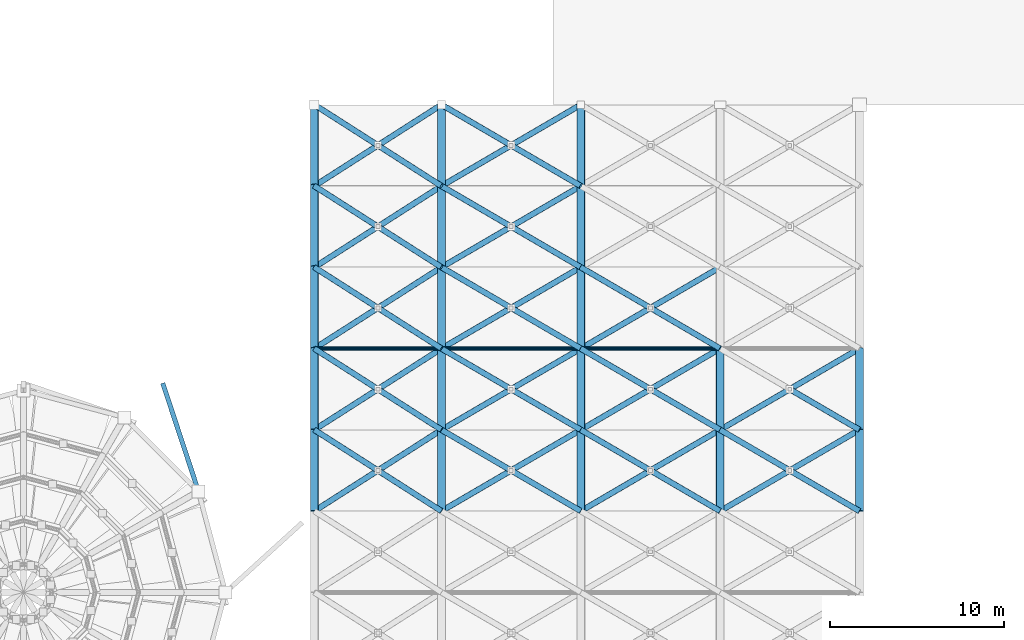
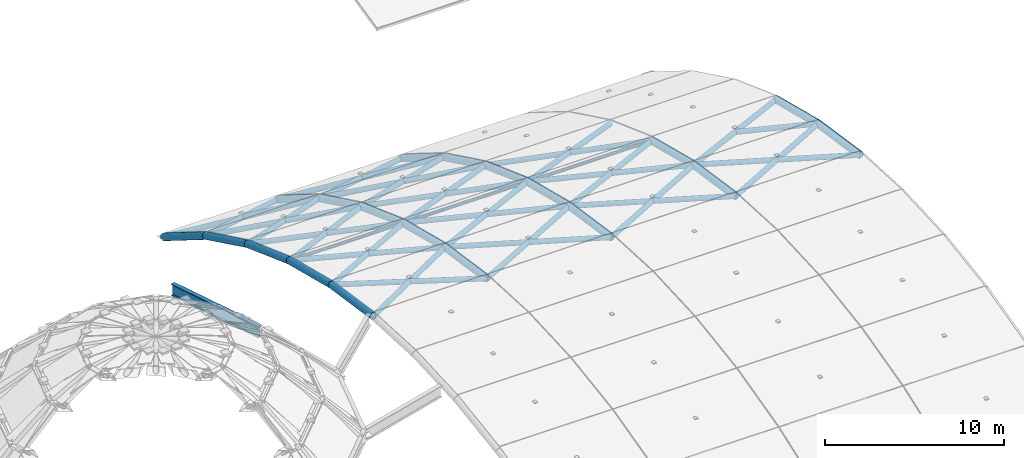
# One storey, part 10 of 21: 66 members, 1 beam.
"""IFC4 building model written with IfcOpenShell, lengths in metres."""

from ifc_helpers import new_model, si_unit, direction, frame, origin, origin_2d, place, context, subcontext, project, spatial, hollow_circle, i_section, extrude, material, material_profile, profile_set, type_object, element, save


model = new_model("IFC4")

# Units and contexts
model_context = context("Model", 3, precision=1e-05, world=origin(), true_north=direction((0.0, 1.0)))
body_context = subcontext(model_context, "Body", "Model", "MODEL_VIEW")
ifc_project = project(units=[si_unit("LENGTHUNIT", "METRE"), si_unit("AREAUNIT", "SQUARE_METRE"), si_unit("VOLUMEUNIT", "CUBIC_METRE"), si_unit("PLANEANGLEUNIT", "RADIAN"), si_unit("MASSUNIT", "GRAM", prefix="KILO")], contexts=[model_context])

# Site, building, storey
site_placement = place(None, origin())
site = spatial("IfcSite", under=ifc_project, at=site_placement, CompositionType="ELEMENT")
building_placement = place(site_placement, origin())
building = spatial("IfcBuilding", under=site, at=building_placement, Name="Solmirada Galleria", CompositionType="ELEMENT")
storey_placement = place(building_placement, frame((0.0, 0.0, 37.5)))
storey = spatial("IfcBuildingStorey", under=building, at=storey_placement, Name="RF", CompositionType="ELEMENT", Elevation=37.5)

# Beam
ifc_material_1 = material(Name="Steel S355 / ASTM A992 Grade 50", Category="steel")
ifc_material_profile_1 = material_profile(ifc_material_1, i_section(OverallWidth=0.26708984375, OverallDepth=0.779052734375, WebThickness=0.0166015625, FlangeThickness=0.030029296875, FilletRadius=0.01904296875, at=origin_2d()), Name="W30X148")
ifc_profile_set_1 = profile_set([ifc_material_profile_1], Name="Steel S355 / ASTM A992 Grade 50")
beam_type = type_object("IfcBeamType", Name="BM-DOME-RING", PredefinedType="BEAM", material=ifc_profile_set_1)
beam_placement = place(storey_placement, frame((104.0, 72.0, -0.14990234375), z_axis=(0.313283085441, -0.949382333504, 0.02295415447), x_axis=(0.949632543935, 0.313365651434, 0.0)))
element("IfcBeam", 1, at=beam_placement, inside=storey, type_object=beam_type, Name="Atrium dome drum anchor beam 2", PredefinedType="BEAM", context=body_context, shape_type="SweptSolid", body=[
    extrude(i_section(OverallWidth=0.26708984375, OverallDepth=0.779052734375, WebThickness=0.0166015625, FlangeThickness=0.030029296875, FilletRadius=0.01904296875, at=origin_2d()), origin(), (0.0, 0.0, 1.0), 6.530517578125),
])

# Members
ifc_material_2 = material(Name="Steel S355 / ASTM A500 Grade C", Category="steel")
ifc_material_profile_2 = material_profile(ifc_material_2, hollow_circle(Radius=0.109619140625, WallThickness=0.007568359375, at=origin_2d()), Name="HSS8.625X0.322")
ifc_profile_set_2 = profile_set([ifc_material_profile_2], Name="Steel S355 / ASTM A500 Grade C")
member_type_1 = type_object("IfcMemberType", Name="MEM-DOME-PURL", PredefinedType="PURLIN", material=ifc_profile_set_2)
member_1_placement = place(storey_placement, frame((112.699951171875, 74.0, -2.471923828125), z_axis=(1.0, 0.0, 0.0), x_axis=(0.0, 1.0, 0.0)))
element("IfcMember", 2, at=member_1_placement, inside=storey, type_object=member_type_1, Name="Barrel gridshell longitudinal tie E00-09", PredefinedType="PURLIN", context=body_context, shape_type="SweptSolid", body=[
    extrude(hollow_circle(Radius=0.109619140625, WallThickness=0.007568359375, at=origin_2d()), origin(), (0.0, 0.0, 1.0), 7.300048828125),
])
for number, where, z_axis, x_axis, name in (
    (3, (120.0, 74.0, -2.471923828125), (1.0, 0.0, 0.0), (0.0, 1.0, 0.0), "Barrel gridshell longitudinal tie E01-09"),
    (4, (128.0, 74.0, -2.471923828125), (1.0, 0.0, 0.0), (0.0, 1.0, 0.0), "Barrel gridshell longitudinal tie E02-09"),
):
    element("IfcMember", number, at=place(storey_placement, frame(where, z_axis=z_axis, x_axis=x_axis)), inside=storey, type_object=member_type_1, Name=name, PredefinedType="PURLIN", context=body_context, shape_type="SweptSolid", body=[
        extrude(hollow_circle(Radius=0.109619140625, WallThickness=0.007568359375, at=origin_2d()), origin(), (0.0, 0.0, 1.0), 8.0),
    ])
ifc_material_profile_3 = material_profile(ifc_material_2, hollow_circle(Radius=0.228515625, WallThickness=0.01171875, at=origin_2d()), Name="HSS18.000X0.500")
ifc_profile_set_3 = profile_set([ifc_material_profile_3], Name="Steel S355 / ASTM A500 Grade C")
member_type_2 = type_object("IfcMemberType", Name="MEM-VAULT-ARCH2", PredefinedType="RAFTER", material=ifc_profile_set_3)
member_2_placement = place(storey_placement, frame((112.699951171875, 64.666748046875, -0.5908203125), z_axis=(0.0, 0.988997751156, -0.14793055198), x_axis=(-1.0, 0.0, 0.0)))
element("IfcMember", 5, at=member_2_placement, inside=storey, type_object=member_type_2, Name="Barrel vault arch rib E00-07", PredefinedType="RAFTER", context=body_context, shape_type="SweptSolid", body=[
    extrude(hollow_circle(Radius=0.228515625, WallThickness=0.01171875, at=origin_2d()), origin(), (0.0, 0.0, 1.0), 4.718505859375),
])
member_3_placement = place(storey_placement, frame((112.699951171875, 69.333251953125, -1.288818359375), z_axis=(0.0, 0.969334768515, -0.245743985782), x_axis=(-1.0, 0.0, 0.0)))
element("IfcMember", 6, at=member_3_placement, inside=storey, type_object=member_type_2, Name="Barrel vault arch rib E00-08", PredefinedType="RAFTER", context=body_context, shape_type="SweptSolid", body=[
    extrude(hollow_circle(Radius=0.228515625, WallThickness=0.01171875, at=origin_2d()), origin(), (0.0, 0.0, 1.0), 4.814453125),
])
member_4_placement = place(storey_placement, frame((112.699951171875, 74.0, -2.471923828125), z_axis=(0.0, 0.939570777515, -0.342354719612), x_axis=(-1.0, 0.0, 0.0)))
element("IfcMember", 7, at=member_4_placement, inside=storey, type_object=member_type_2, Name="Barrel vault arch rib E00-09", PredefinedType="RAFTER", context=body_context, shape_type="SweptSolid", body=[
    extrude(hollow_circle(Radius=0.228515625, WallThickness=0.01171875, at=origin_2d()), origin(), (0.0, 0.0, 1.0), 4.966796875),
])
member_5_placement = place(storey_placement, frame((112.699951171875, 78.666748046875, -4.17236328125), z_axis=(0.0, 0.899303609311, -0.437324842971), x_axis=(-1.0, 0.0, 0.0)))
element("IfcMember", 8, at=member_5_placement, inside=storey, type_object=member_type_2, Name="Barrel vault arch rib E00-10", PredefinedType="RAFTER", context=body_context, shape_type="SweptSolid", body=[
    extrude(hollow_circle(Radius=0.228515625, WallThickness=0.01171875, at=origin_2d()), origin(), (0.0, 0.0, 1.0), 5.18896484375),
])
member_6_placement = place(storey_placement, frame((112.699951171875, 83.333251953125, -6.441650390625), z_axis=(0.0, 0.847856236134, -0.53022618084), x_axis=(-1.0, 0.0, 0.0)))
element("IfcMember", 9, at=member_6_placement, inside=storey, type_object=member_type_2, Name="Barrel vault arch rib E00-11", PredefinedType="RAFTER", context=body_context, shape_type="SweptSolid", body=[
    extrude(hollow_circle(Radius=0.228515625, WallThickness=0.01171875, at=origin_2d()), origin(), (0.0, 0.0, 1.0), 5.504150390625),
])
member_7_placement = place(storey_placement, frame((120.0, 64.666748046875, -0.5908203125), z_axis=(0.0, 0.988997751156, -0.14793055198), x_axis=(-1.0, 0.0, 0.0)))
element("IfcMember", 10, at=member_7_placement, inside=storey, type_object=member_type_2, Name="Barrel vault arch rib E01-07", PredefinedType="RAFTER", context=body_context, shape_type="SweptSolid", body=[
    extrude(hollow_circle(Radius=0.228515625, WallThickness=0.01171875, at=origin_2d()), origin(), (0.0, 0.0, 1.0), 4.718505859375),
])
member_8_placement = place(storey_placement, frame((120.0, 69.333251953125, -1.288818359375), z_axis=(0.0, 0.969334768515, -0.245743985782), x_axis=(-1.0, 0.0, 0.0)))
element("IfcMember", 11, at=member_8_placement, inside=storey, type_object=member_type_2, Name="Barrel vault arch rib E01-08", PredefinedType="RAFTER", context=body_context, shape_type="SweptSolid", body=[
    extrude(hollow_circle(Radius=0.228515625, WallThickness=0.01171875, at=origin_2d()), origin(), (0.0, 0.0, 1.0), 4.814453125),
])
member_9_placement = place(storey_placement, frame((120.0, 74.0, -2.471923828125), z_axis=(0.0, 0.939570777515, -0.342354719612), x_axis=(-1.0, 0.0, 0.0)))
element("IfcMember", 12, at=member_9_placement, inside=storey, type_object=member_type_2, Name="Barrel vault arch rib E01-09", PredefinedType="RAFTER", context=body_context, shape_type="SweptSolid", body=[
    extrude(hollow_circle(Radius=0.228515625, WallThickness=0.01171875, at=origin_2d()), origin(), (0.0, 0.0, 1.0), 4.966796875),
])
member_10_placement = place(storey_placement, frame((120.0, 78.666748046875, -4.17236328125), z_axis=(0.0, 0.899303609311, -0.437324842971), x_axis=(-1.0, 0.0, 0.0)))
element("IfcMember", 13, at=member_10_placement, inside=storey, type_object=member_type_2, Name="Barrel vault arch rib E01-10", PredefinedType="RAFTER", context=body_context, shape_type="SweptSolid", body=[
    extrude(hollow_circle(Radius=0.228515625, WallThickness=0.01171875, at=origin_2d()), origin(), (0.0, 0.0, 1.0), 5.18896484375),
])
member_11_placement = place(storey_placement, frame((120.0, 83.333251953125, -6.441650390625), z_axis=(0.0, 0.847856236134, -0.53022618084), x_axis=(-1.0, 0.0, 0.0)))
element("IfcMember", 14, at=member_11_placement, inside=storey, type_object=member_type_2, Name="Barrel vault arch rib E01-11", PredefinedType="RAFTER", context=body_context, shape_type="SweptSolid", body=[
    extrude(hollow_circle(Radius=0.228515625, WallThickness=0.01171875, at=origin_2d()), origin(), (0.0, 0.0, 1.0), 5.504150390625),
])
member_12_placement = place(storey_placement, frame((128.0, 64.666748046875, -0.5908203125), z_axis=(0.0, 0.988997751156, -0.14793055198), x_axis=(-1.0, 0.0, 0.0)))
element("IfcMember", 15, at=member_12_placement, inside=storey, type_object=member_type_2, Name="Barrel vault arch rib E02-07", PredefinedType="RAFTER", context=body_context, shape_type="SweptSolid", body=[
    extrude(hollow_circle(Radius=0.228515625, WallThickness=0.01171875, at=origin_2d()), origin(), (0.0, 0.0, 1.0), 4.718505859375),
])
member_13_placement = place(storey_placement, frame((128.0, 69.333251953125, -1.288818359375), z_axis=(0.0, 0.969334768515, -0.245743985782), x_axis=(-1.0, 0.0, 0.0)))
element("IfcMember", 16, at=member_13_placement, inside=storey, type_object=member_type_2, Name="Barrel vault arch rib E02-08", PredefinedType="RAFTER", context=body_context, shape_type="SweptSolid", body=[
    extrude(hollow_circle(Radius=0.228515625, WallThickness=0.01171875, at=origin_2d()), origin(), (0.0, 0.0, 1.0), 4.814453125),
])
member_14_placement = place(storey_placement, frame((128.0, 74.0, -2.471923828125), z_axis=(0.0, 0.939570777515, -0.342354719612), x_axis=(-1.0, 0.0, 0.0)))
element("IfcMember", 17, at=member_14_placement, inside=storey, type_object=member_type_2, Name="Barrel vault arch rib E02-09", PredefinedType="RAFTER", context=body_context, shape_type="SweptSolid", body=[
    extrude(hollow_circle(Radius=0.228515625, WallThickness=0.01171875, at=origin_2d()), origin(), (0.0, 0.0, 1.0), 4.966796875),
])
member_15_placement = place(storey_placement, frame((128.0, 78.666748046875, -4.17236328125), z_axis=(0.0, 0.899303609311, -0.437324842971), x_axis=(-1.0, 0.0, 0.0)))
element("IfcMember", 18, at=member_15_placement, inside=storey, type_object=member_type_2, Name="Barrel vault arch rib E02-10", PredefinedType="RAFTER", context=body_context, shape_type="SweptSolid", body=[
    extrude(hollow_circle(Radius=0.228515625, WallThickness=0.01171875, at=origin_2d()), origin(), (0.0, 0.0, 1.0), 5.18896484375),
])
member_16_placement = place(storey_placement, frame((128.0, 83.333251953125, -6.441650390625), z_axis=(0.0, 0.847856236134, -0.53022618084), x_axis=(-1.0, 0.0, 0.0)))
element("IfcMember", 19, at=member_16_placement, inside=storey, type_object=member_type_2, Name="Barrel vault arch rib E02-11", PredefinedType="RAFTER", context=body_context, shape_type="SweptSolid", body=[
    extrude(hollow_circle(Radius=0.228515625, WallThickness=0.01171875, at=origin_2d()), origin(), (0.0, 0.0, 1.0), 5.504150390625),
])
member_17_placement = place(storey_placement, frame((136.0, 64.666748046875, -0.5908203125), z_axis=(0.0, 0.988997751156, -0.14793055198), x_axis=(-1.0, 0.0, 0.0)))
element("IfcMember", 20, at=member_17_placement, inside=storey, type_object=member_type_2, Name="Barrel vault arch rib E03-07", PredefinedType="RAFTER", context=body_context, shape_type="SweptSolid", body=[
    extrude(hollow_circle(Radius=0.228515625, WallThickness=0.01171875, at=origin_2d()), origin(), (0.0, 0.0, 1.0), 4.718505859375),
])
member_18_placement = place(storey_placement, frame((136.0, 69.333251953125, -1.288818359375), z_axis=(0.0, 0.969334768515, -0.245743985782), x_axis=(-1.0, 0.0, 0.0)))
element("IfcMember", 21, at=member_18_placement, inside=storey, type_object=member_type_2, Name="Barrel vault arch rib E03-08", PredefinedType="RAFTER", context=body_context, shape_type="SweptSolid", body=[
    extrude(hollow_circle(Radius=0.228515625, WallThickness=0.01171875, at=origin_2d()), origin(), (0.0, 0.0, 1.0), 4.814453125),
])
member_19_placement = place(storey_placement, frame((144.0, 64.666748046875, -0.5908203125), z_axis=(0.0, 0.988997751156, -0.14793055198), x_axis=(-1.0, 0.0, 0.0)))
element("IfcMember", 22, at=member_19_placement, inside=storey, type_object=member_type_2, Name="Barrel vault arch rib E04-07", PredefinedType="RAFTER", context=body_context, shape_type="SweptSolid", body=[
    extrude(hollow_circle(Radius=0.228515625, WallThickness=0.01171875, at=origin_2d()), origin(), (0.0, 0.0, 1.0), 4.718505859375),
])
member_20_placement = place(storey_placement, frame((144.0, 69.333251953125, -1.288818359375), z_axis=(0.0, 0.969334768515, -0.245743985782), x_axis=(-1.0, 0.0, 0.0)))
element("IfcMember", 23, at=member_20_placement, inside=storey, type_object=member_type_2, Name="Barrel vault arch rib E04-08", PredefinedType="RAFTER", context=body_context, shape_type="SweptSolid", body=[
    extrude(hollow_circle(Radius=0.228515625, WallThickness=0.01171875, at=origin_2d()), origin(), (0.0, 0.0, 1.0), 4.814453125),
])
ifc_material_profile_4 = material_profile(ifc_material_2, hollow_circle(Radius=0.162109375, WallThickness=0.0087890625, at=origin_2d()), Name="HSS12.750X0.375")
ifc_profile_set_4 = profile_set([ifc_material_profile_4], Name="Steel S355 / ASTM A500 Grade C")
member_type_3 = type_object("IfcMemberType", Name="MEM-VAULT-DIAG", PredefinedType="BRACE", material=ifc_profile_set_4)
member_21_placement = place(storey_placement, frame((112.699951171875, 64.666748046875, -0.5908203125), z_axis=(0.839839964864, 0.536861679824, -0.080301744408), x_axis=(-0.538601037793, 0.842560930787, 0.0)))
element("IfcMember", 24, at=member_21_placement, inside=storey, type_object=member_type_3, Name="Barrel gridshell continuous diagonal E00-07", PredefinedType="BRACE", context=body_context, shape_type="SweptSolid", body=[
    extrude(hollow_circle(Radius=0.162109375, WallThickness=0.0087890625, at=origin_2d()), origin(), (0.0, 0.0, 1.0), 8.692138671875),
])
member_22_placement = place(storey_placement, frame((112.699951171875, 69.333251953125, -1.288818359375), z_axis=(0.839846346556, -0.536847805099, 0.080327755707), x_axis=(0.53858825058, 0.842569104784, 0.0)))
element("IfcMember", 25, at=member_22_placement, inside=storey, type_object=member_type_3, Name="Barrel gridshell split diagonal B1 E00-07", PredefinedType="BRACE", context=body_context, shape_type="SweptSolid", body=[
    extrude(hollow_circle(Radius=0.162109375, WallThickness=0.0087890625, at=origin_2d()), origin(), (0.0, 0.0, 1.0), 4.34619140625),
])
member_23_placement = place(storey_placement, frame((116.35009765625, 67.0, -0.939697265625), z_axis=(0.839833582077, -0.536875554777, 0.080275731692), x_axis=(0.538613825489, 0.842552756207, 0.0)))
element("IfcMember", 26, at=member_23_placement, inside=storey, type_object=member_type_3, Name="Barrel gridshell split diagonal B2 E00-07", PredefinedType="BRACE", context=body_context, shape_type="SweptSolid", body=[
    extrude(hollow_circle(Radius=0.162109375, WallThickness=0.0087890625, at=origin_2d()), origin(), (0.0, 0.0, 1.0), 4.345947265625),
])
member_24_placement = place(storey_placement, frame((112.699951171875, 69.333251953125, -1.288818359375), z_axis=(0.834801251458, 0.533668637223, -0.135294701333), x_axis=(-0.538621041402, 0.842548143289, 0.0)))
element("IfcMember", 27, at=member_24_placement, inside=storey, type_object=member_type_3, Name="Barrel gridshell continuous diagonal E00-08", PredefinedType="BRACE", context=body_context, shape_type="SweptSolid", body=[
    extrude(hollow_circle(Radius=0.162109375, WallThickness=0.0087890625, at=origin_2d()), origin(), (0.0, 0.0, 1.0), 8.74462890625),
])
for number, where, z_axis, x_axis, name in (
    (28, (112.699951171875, 74.0, -2.471923828125), (0.834822151099, -0.53363623156, 0.135293563783), (0.53858825058, 0.842569104784, 0.0), "Barrel gridshell split diagonal B1 E00-08"),
    (29, (116.35009765625, 71.666748046875, -1.88037109375), (0.834780350223, -0.533701042637, 0.135295838702), (0.53865383197, 0.842527180158, 0.0), "Barrel gridshell split diagonal B2 E00-08"),
):
    element("IfcMember", number, at=place(storey_placement, frame(where, z_axis=z_axis, x_axis=x_axis)), inside=storey, type_object=member_type_3, Name=name, PredefinedType="BRACE", context=body_context, shape_type="SweptSolid", body=[
        extrude(hollow_circle(Radius=0.162109375, WallThickness=0.0087890625, at=origin_2d()), origin(), (0.0, 0.0, 1.0), 4.372314453125),
    ])
member_25_placement = place(storey_placement, frame((112.699951171875, 74.0, -2.471923828125), z_axis=(0.826775837558, 0.528538180493, -0.192585321848), x_axis=(-0.538621041402, 0.842548143289, 0.0)))
element("IfcMember", 30, at=member_25_placement, inside=storey, type_object=member_type_3, Name="Barrel gridshell continuous diagonal E00-09", PredefinedType="BRACE", context=body_context, shape_type="SweptSolid", body=[
    extrude(hollow_circle(Radius=0.162109375, WallThickness=0.0087890625, at=origin_2d()), origin(), (0.0, 0.0, 1.0), 8.82958984375),
])
member_26_placement = place(storey_placement, frame((112.699951171875, 78.666748046875, -4.17236328125), z_axis=(0.826776906633, -0.528548837776, 0.192551480763), x_axis=(0.538628256713, 0.842543530668, 0.0)))
element("IfcMember", 31, at=member_26_placement, inside=storey, type_object=member_type_3, Name="Barrel gridshell split diagonal B1 E00-09", PredefinedType="BRACE", context=body_context, shape_type="SweptSolid", body=[
    extrude(hollow_circle(Radius=0.162109375, WallThickness=0.0087890625, at=origin_2d()), origin(), (0.0, 0.0, 1.0), 4.414794921875),
])
member_27_placement = place(storey_placement, frame((116.35009765625, 76.333251953125, -3.322265625), z_axis=(0.826774767373, -0.528527521858, 0.192619164867), x_axis=(0.538613825489, 0.842552756207, 0.0)))
element("IfcMember", 32, at=member_27_placement, inside=storey, type_object=member_type_3, Name="Barrel gridshell split diagonal B2 E00-09", PredefinedType="BRACE", context=body_context, shape_type="SweptSolid", body=[
    extrude(hollow_circle(Radius=0.162109375, WallThickness=0.0087890625, at=origin_2d()), origin(), (0.0, 0.0, 1.0), 4.41455078125),
])
member_28_placement = place(storey_placement, frame((112.699951171875, 78.666748046875, -4.17236328125), z_axis=(0.815067438216, 0.521026019667, -0.253371186188), x_axis=(-0.538601037793, 0.842560930787, 0.0)))
element("IfcMember", 33, at=member_28_placement, inside=storey, type_object=member_type_3, Name="Barrel gridshell continuous diagonal E00-10", PredefinedType="BRACE", context=body_context, shape_type="SweptSolid", body=[
    extrude(hollow_circle(Radius=0.162109375, WallThickness=0.0087890625, at=origin_2d()), origin(), (0.0, 0.0, 1.0), 8.956298828125),
])
member_29_placement = place(storey_placement, frame((112.699951171875, 83.333251953125, -6.441650390625), z_axis=(0.815070958349, -0.521010845358, 0.253391065106), x_axis=(0.53858825058, 0.842569104784, 0.0)))
element("IfcMember", 34, at=member_29_placement, inside=storey, type_object=member_type_3, Name="Barrel gridshell split diagonal B1 E00-10", PredefinedType="BRACE", context=body_context, shape_type="SweptSolid", body=[
    extrude(hollow_circle(Radius=0.162109375, WallThickness=0.0087890625, at=origin_2d()), origin(), (0.0, 0.0, 1.0), 4.478271484375),
])
member_30_placement = place(storey_placement, frame((116.35009765625, 81.0, -5.306884765625), z_axis=(0.815063917358, -0.521041194528, 0.253351305951), x_axis=(0.538613825489, 0.842552756207, 0.0)))
element("IfcMember", 35, at=member_30_placement, inside=storey, type_object=member_type_3, Name="Barrel gridshell split diagonal B2 E00-10", PredefinedType="BRACE", context=body_context, shape_type="SweptSolid", body=[
    extrude(hollow_circle(Radius=0.162109375, WallThickness=0.0087890625, at=origin_2d()), origin(), (0.0, 0.0, 1.0), 4.47802734375),
])
member_31_placement = place(storey_placement, frame((112.699951171875, 83.333251953125, -6.441650390625), z_axis=(0.798467652545, 0.51044142933, -0.31921615727), x_axis=(-0.538621041402, 0.842548143289, 0.0)))
element("IfcMember", 36, at=member_31_placement, inside=storey, type_object=member_type_3, Name="Barrel gridshell continuous diagonal E00-11", PredefinedType="BRACE", context=body_context, shape_type="SweptSolid", body=[
    extrude(hollow_circle(Radius=0.162109375, WallThickness=0.0087890625, at=origin_2d()), origin(), (0.0, 0.0, 1.0), 9.142578125),
])
for number, where, z_axis, x_axis, name in (
    (37, (112.699951171875, 88.0, -9.360107421875), (0.798488214243, -0.510410799513, 0.319213701861), (0.53858825058, 0.842569104784, 0.0), "Barrel gridshell split diagonal B1 E00-11"),
    (38, (116.35009765625, 85.666748046875, -7.90087890625), (0.79844708944, -0.510472058921, 0.31921861228), (0.53865383197, 0.842527180158, 0.0), "Barrel gridshell split diagonal B2 E00-11"),
):
    element("IfcMember", number, at=place(storey_placement, frame(where, z_axis=z_axis, x_axis=x_axis)), inside=storey, type_object=member_type_3, Name=name, PredefinedType="BRACE", context=body_context, shape_type="SweptSolid", body=[
        extrude(hollow_circle(Radius=0.162109375, WallThickness=0.0087890625, at=origin_2d()), origin(), (0.0, 0.0, 1.0), 4.5712890625),
    ])
member_32_placement = place(storey_placement, frame((120.0, 64.666748046875, -0.5908203125), z_axis=(0.861343836227, 0.502433047047, -0.075152039422), x_axis=(-0.503857913421, 0.863786549492, 0.0)))
element("IfcMember", 39, at=member_32_placement, inside=storey, type_object=member_type_3, Name="Barrel gridshell continuous diagonal E01-07", PredefinedType="BRACE", context=body_context, shape_type="SweptSolid", body=[
    extrude(hollow_circle(Radius=0.162109375, WallThickness=0.0087890625, at=origin_2d()), origin(), (0.0, 0.0, 1.0), 9.287841796875),
])
for number, where, z_axis, x_axis, name in (
    (40, (120.0, 69.333251953125, -1.288818359375), (0.861342134387, -0.502432054342, 0.075178177013), (0.503857913421, 0.863786549492, 0.0), "Barrel gridshell split diagonal B1 E01-07"),
    (41, (124.0, 67.0, -0.939697265625), (0.861345537481, -0.502434039411, 0.075125901676), (0.503857913421, 0.863786549492, 0.0), "Barrel gridshell split diagonal B2 E01-07"),
):
    element("IfcMember", number, at=place(storey_placement, frame(where, z_axis=z_axis, x_axis=x_axis)), inside=storey, type_object=member_type_3, Name=name, PredefinedType="BRACE", context=body_context, shape_type="SweptSolid", body=[
        extrude(hollow_circle(Radius=0.162109375, WallThickness=0.0087890625, at=origin_2d()), origin(), (0.0, 0.0, 1.0), 4.643798828125),
    ])
member_33_placement = place(storey_placement, frame((120.0, 69.333251953125, -1.288818359375), z_axis=(0.856812609173, 0.499816071299, -0.126712460451), x_axis=(-0.503877581445, 0.863775076578, 0.0)))
element("IfcMember", 42, at=member_33_placement, inside=storey, type_object=member_type_3, Name="Barrel gridshell continuous diagonal E01-08", PredefinedType="BRACE", context=body_context, shape_type="SweptSolid", body=[
    extrude(hollow_circle(Radius=0.162109375, WallThickness=0.0087890625, at=origin_2d()), origin(), (0.0, 0.0, 1.0), 9.3369140625),
])
for number, where, z_axis, x_axis, name in (
    (43, (120.0, 74.0, -2.471923828125), (0.856823806881, -0.499796455222, 0.126714116459), (0.503857913421, 0.863786549492, 0.0), "Barrel gridshell split diagonal B1 E01-08"),
    (44, (124.0, 71.666748046875, -1.88037109375), (0.856801411318, -0.499835686608, 0.12671080442), (0.503897248685, 0.863763603521, 0.0), "Barrel gridshell split diagonal B2 E01-08"),
):
    element("IfcMember", number, at=place(storey_placement, frame(where, z_axis=z_axis, x_axis=x_axis)), inside=storey, type_object=member_type_3, Name=name, PredefinedType="BRACE", context=body_context, shape_type="SweptSolid", body=[
        extrude(hollow_circle(Radius=0.162109375, WallThickness=0.0087890625, at=origin_2d()), origin(), (0.0, 0.0, 1.0), 4.66845703125),
    ])
member_34_placement = place(storey_placement, frame((120.0, 74.0, -2.471923828125), z_axis=(0.84957466948, 0.495593866184, -0.180581285795), x_axis=(-0.503877581445, 0.863775076578, 0.0)))
element("IfcMember", 45, at=member_34_placement, inside=storey, type_object=member_type_3, Name="Barrel gridshell continuous diagonal E01-09", PredefinedType="BRACE", context=body_context, shape_type="SweptSolid", body=[
    extrude(hollow_circle(Radius=0.162109375, WallThickness=0.0087890625, at=origin_2d()), origin(), (0.0, 0.0, 1.0), 9.41650390625),
])
for number, where, z_axis, x_axis, name in (
    (46, (120.0, 78.666748046875, -4.17236328125), (0.849567730246, -0.495615744977, 0.180553884077), (0.503897248685, 0.863763603521, 0.0), "Barrel gridshell split diagonal B1 E01-09"),
    (47, (124.0, 76.333251953125, -3.322265625), (0.849581607741, -0.4955719864, 0.18060868773), (0.503857913421, 0.863786549492, 0.0), "Barrel gridshell split diagonal B2 E01-09"),
):
    element("IfcMember", number, at=place(storey_placement, frame(where, z_axis=z_axis, x_axis=x_axis)), inside=storey, type_object=member_type_3, Name=name, PredefinedType="BRACE", context=body_context, shape_type="SweptSolid", body=[
        extrude(hollow_circle(Radius=0.162109375, WallThickness=0.0087890625, at=origin_2d()), origin(), (0.0, 0.0, 1.0), 4.708251953125),
    ])
member_35_placement = place(storey_placement, frame((120.0, 78.666748046875, -4.17236328125), z_axis=(0.838969414701, 0.489381756366, -0.237982809743), x_axis=(-0.503857913421, 0.863786549492, 0.0)))
element("IfcMember", 48, at=member_35_placement, inside=storey, type_object=member_type_3, Name="Barrel gridshell continuous diagonal E01-10", PredefinedType="BRACE", context=body_context, shape_type="SweptSolid", body=[
    extrude(hollow_circle(Radius=0.162109375, WallThickness=0.0087890625, at=origin_2d()), origin(), (0.0, 0.0, 1.0), 9.535400390625),
])
for number, where, z_axis, x_axis, name in (
    (49, (120.0, 83.333251953125, -6.441650390625), (0.838964302507, -0.489378774357, 0.238006962772), (0.503857913421, 0.863786549492, 0.0), "Barrel gridshell split diagonal B1 E01-10"),
    (50, (124.0, 81.0, -5.306884765625), (0.838974526438, -0.489384738108, 0.237958656272), (0.503857913421, 0.863786549492, 0.0), "Barrel gridshell split diagonal B2 E01-10"),
):
    element("IfcMember", number, at=place(storey_placement, frame(where, z_axis=z_axis, x_axis=x_axis)), inside=storey, type_object=member_type_3, Name=name, PredefinedType="BRACE", context=body_context, shape_type="SweptSolid", body=[
        extrude(hollow_circle(Radius=0.162109375, WallThickness=0.0087890625, at=origin_2d()), origin(), (0.0, 0.0, 1.0), 4.767822265625),
    ])
member_36_placement = place(storey_placement, frame((120.0, 83.333251953125, -6.441650390625), z_axis=(0.823841216452, 0.480582423477, -0.300543148849), x_axis=(-0.503877581445, 0.863775076578, 0.0)))
element("IfcMember", 51, at=member_36_placement, inside=storey, type_object=member_type_3, Name="Barrel gridshell continuous diagonal E01-11", PredefinedType="BRACE", context=body_context, shape_type="SweptSolid", body=[
    extrude(hollow_circle(Radius=0.162109375, WallThickness=0.0087890625, at=origin_2d()), origin(), (0.0, 0.0, 1.0), 9.710693359375),
])
member_37_placement = place(storey_placement, frame((120.0, 88.0, -9.360107421875), z_axis=(0.823851170541, -0.480563088187, 0.300546780171), x_axis=(0.503857913421, 0.863786549492, 0.0)))
element("IfcMember", 52, at=member_37_placement, inside=storey, type_object=member_type_3, Name="Barrel gridshell split diagonal B1 E01-11", PredefinedType="BRACE", context=body_context, shape_type="SweptSolid", body=[
    extrude(hollow_circle(Radius=0.162109375, WallThickness=0.0087890625, at=origin_2d()), origin(), (0.0, 0.0, 1.0), 4.855224609375),
])
member_38_placement = place(storey_placement, frame((124.0, 85.666748046875, -7.90087890625), z_axis=(0.823831262204, -0.480601758066, 0.300539517468), x_axis=(0.503897248685, 0.863763603521, 0.0)))
element("IfcMember", 53, at=member_38_placement, inside=storey, type_object=member_type_3, Name="Barrel gridshell split diagonal B2 E01-11", PredefinedType="BRACE", context=body_context, shape_type="SweptSolid", body=[
    extrude(hollow_circle(Radius=0.162109375, WallThickness=0.0087890625, at=origin_2d()), origin(), (0.0, 0.0, 1.0), 4.85546875),
])
member_39_placement = place(storey_placement, frame((128.0, 64.666748046875, -0.5908203125), z_axis=(0.861343836227, 0.502433047047, -0.075152039422), x_axis=(-0.503857913421, 0.863786549492, 0.0)))
element("IfcMember", 54, at=member_39_placement, inside=storey, type_object=member_type_3, Name="Barrel gridshell continuous diagonal E02-07", PredefinedType="BRACE", context=body_context, shape_type="SweptSolid", body=[
    extrude(hollow_circle(Radius=0.162109375, WallThickness=0.0087890625, at=origin_2d()), origin(), (0.0, 0.0, 1.0), 9.287841796875),
])
for number, where, z_axis, x_axis, name in (
    (55, (128.0, 69.333251953125, -1.288818359375), (0.861342134387, -0.502432054342, 0.075178177013), (0.503857913421, 0.863786549492, 0.0), "Barrel gridshell split diagonal B1 E02-07"),
    (56, (132.0, 67.0, -0.939697265625), (0.861345537481, -0.502434039411, 0.075125901676), (0.503857913421, 0.863786549492, 0.0), "Barrel gridshell split diagonal B2 E02-07"),
):
    element("IfcMember", number, at=place(storey_placement, frame(where, z_axis=z_axis, x_axis=x_axis)), inside=storey, type_object=member_type_3, Name=name, PredefinedType="BRACE", context=body_context, shape_type="SweptSolid", body=[
        extrude(hollow_circle(Radius=0.162109375, WallThickness=0.0087890625, at=origin_2d()), origin(), (0.0, 0.0, 1.0), 4.643798828125),
    ])
member_40_placement = place(storey_placement, frame((128.0, 69.333251953125, -1.288818359375), z_axis=(0.856812609173, 0.499816071299, -0.126712460451), x_axis=(-0.503877581445, 0.863775076578, 0.0)))
element("IfcMember", 57, at=member_40_placement, inside=storey, type_object=member_type_3, Name="Barrel gridshell continuous diagonal E02-08", PredefinedType="BRACE", context=body_context, shape_type="SweptSolid", body=[
    extrude(hollow_circle(Radius=0.162109375, WallThickness=0.0087890625, at=origin_2d()), origin(), (0.0, 0.0, 1.0), 9.3369140625),
])
for number, where, z_axis, x_axis, name in (
    (58, (128.0, 74.0, -2.471923828125), (0.856823806881, -0.499796455222, 0.126714116459), (0.503857913421, 0.863786549492, 0.0), "Barrel gridshell split diagonal B1 E02-08"),
    (59, (132.0, 71.666748046875, -1.88037109375), (0.856801411318, -0.499835686608, 0.12671080442), (0.503897248685, 0.863763603521, 0.0), "Barrel gridshell split diagonal B2 E02-08"),
):
    element("IfcMember", number, at=place(storey_placement, frame(where, z_axis=z_axis, x_axis=x_axis)), inside=storey, type_object=member_type_3, Name=name, PredefinedType="BRACE", context=body_context, shape_type="SweptSolid", body=[
        extrude(hollow_circle(Radius=0.162109375, WallThickness=0.0087890625, at=origin_2d()), origin(), (0.0, 0.0, 1.0), 4.66845703125),
    ])
member_41_placement = place(storey_placement, frame((128.0, 74.0, -2.471923828125), z_axis=(0.84957466948, 0.495593866184, -0.180581285795), x_axis=(-0.503877581445, 0.863775076578, 0.0)))
element("IfcMember", 60, at=member_41_placement, inside=storey, type_object=member_type_3, Name="Barrel gridshell continuous diagonal E02-09", PredefinedType="BRACE", context=body_context, shape_type="SweptSolid", body=[
    extrude(hollow_circle(Radius=0.162109375, WallThickness=0.0087890625, at=origin_2d()), origin(), (0.0, 0.0, 1.0), 9.41650390625),
])
for number, where, z_axis, x_axis, name in (
    (61, (128.0, 78.666748046875, -4.17236328125), (0.849567730246, -0.495615744977, 0.180553884077), (0.503897248685, 0.863763603521, 0.0), "Barrel gridshell split diagonal B1 E02-09"),
    (62, (132.0, 76.333251953125, -3.322265625), (0.849581607741, -0.4955719864, 0.18060868773), (0.503857913421, 0.863786549492, 0.0), "Barrel gridshell split diagonal B2 E02-09"),
):
    element("IfcMember", number, at=place(storey_placement, frame(where, z_axis=z_axis, x_axis=x_axis)), inside=storey, type_object=member_type_3, Name=name, PredefinedType="BRACE", context=body_context, shape_type="SweptSolid", body=[
        extrude(hollow_circle(Radius=0.162109375, WallThickness=0.0087890625, at=origin_2d()), origin(), (0.0, 0.0, 1.0), 4.708251953125),
    ])
member_42_placement = place(storey_placement, frame((136.0, 64.666748046875, -0.5908203125), z_axis=(0.861343836227, 0.502433047047, -0.075152039422), x_axis=(-0.503857913421, 0.863786549492, 0.0)))
element("IfcMember", 63, at=member_42_placement, inside=storey, type_object=member_type_3, Name="Barrel gridshell continuous diagonal E03-07", PredefinedType="BRACE", context=body_context, shape_type="SweptSolid", body=[
    extrude(hollow_circle(Radius=0.162109375, WallThickness=0.0087890625, at=origin_2d()), origin(), (0.0, 0.0, 1.0), 9.287841796875),
])
for number, where, z_axis, x_axis, name in (
    (64, (136.0, 69.333251953125, -1.288818359375), (0.861342134387, -0.502432054342, 0.075178177013), (0.503857913421, 0.863786549492, 0.0), "Barrel gridshell split diagonal B1 E03-07"),
    (65, (140.0, 67.0, -0.939697265625), (0.861345537481, -0.502434039411, 0.075125901676), (0.503857913421, 0.863786549492, 0.0), "Barrel gridshell split diagonal B2 E03-07"),
):
    element("IfcMember", number, at=place(storey_placement, frame(where, z_axis=z_axis, x_axis=x_axis)), inside=storey, type_object=member_type_3, Name=name, PredefinedType="BRACE", context=body_context, shape_type="SweptSolid", body=[
        extrude(hollow_circle(Radius=0.162109375, WallThickness=0.0087890625, at=origin_2d()), origin(), (0.0, 0.0, 1.0), 4.643798828125),
    ])
member_43_placement = place(storey_placement, frame((136.0, 69.333251953125, -1.288818359375), z_axis=(0.856812609173, 0.499816071299, -0.126712460451), x_axis=(-0.503877581445, 0.863775076578, 0.0)))
element("IfcMember", 66, at=member_43_placement, inside=storey, type_object=member_type_3, Name="Barrel gridshell continuous diagonal E03-08", PredefinedType="BRACE", context=body_context, shape_type="SweptSolid", body=[
    extrude(hollow_circle(Radius=0.162109375, WallThickness=0.0087890625, at=origin_2d()), origin(), (0.0, 0.0, 1.0), 9.3369140625),
])
member_44_placement = place(storey_placement, frame((140.0, 71.666748046875, -1.88037109375), z_axis=(0.856801411318, -0.499835686608, 0.12671080442), x_axis=(0.503897248685, 0.863763603521, 0.0)))
element("IfcMember", 67, at=member_44_placement, inside=storey, type_object=member_type_3, Name="Barrel gridshell split diagonal B2 E03-08", PredefinedType="BRACE", context=body_context, shape_type="SweptSolid", body=[
    extrude(hollow_circle(Radius=0.162109375, WallThickness=0.0087890625, at=origin_2d()), origin(), (0.0, 0.0, 1.0), 4.66845703125),
])

save(model, "model.ifc")
